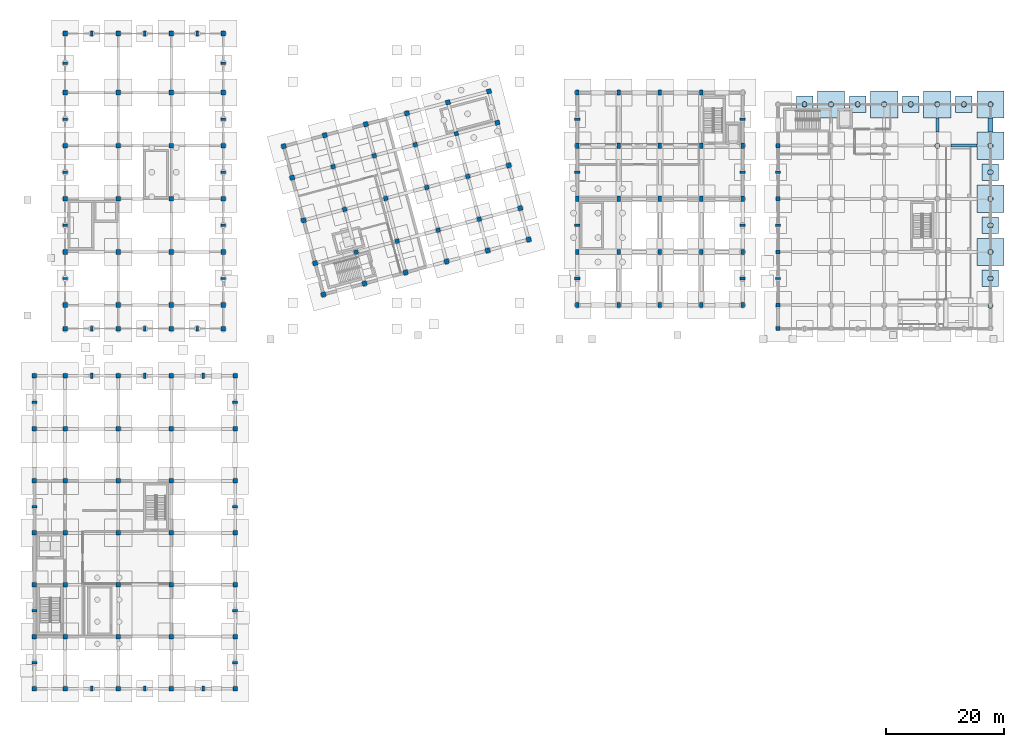
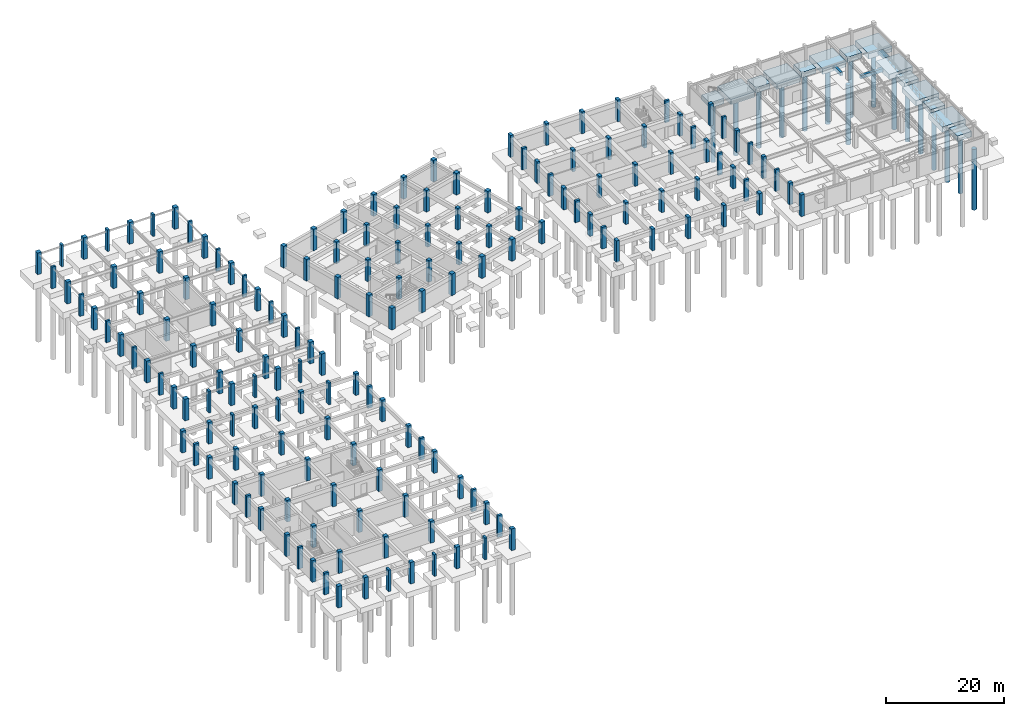
# One storey, part 6 of 20: 163 columns, 17 footings, 16 piles.
"""IFC4 building model written with IfcOpenShell, lengths in metres."""

import ifcopenshell
import ifcopenshell.guid

model = None  # the IFC model being written
_history = None  # IfcOwnerHistory: only IFC2X3 demands one
_inside = {}  # id of a spatial element -> (the spatial element, [elements in it])
_under = {}  # id of a project, library or spatial element -> (it, [spatial elements below it])
_declared = {}  # id of a project -> (the project, [libraries it declares])
_typed = {}  # id of a type object -> (the type object, [elements of that type])
_made_of = {}  # id of a material, layer set ... -> (it, [elements and type objects made of it])


def new_model(schema):
    """Start an empty IFC model of exactly this schema.

    Asked for "IFC4X3", IfcOpenShell would pick the latest addendum, in which some entities
    have other attributes; the version numbers below select the first issue.
    IFC2X3 requires an IfcOwnerHistory on every rooted entity: one is made here for all.
    """
    global model, _history
    if schema == "IFC4X3":
        model = ifcopenshell.file(schema_version=(4, 3, 0, 0))
    else:
        model = ifcopenshell.file(schema=schema)
    _inside.clear()
    _under.clear()
    _declared.clear()
    _typed.clear()
    _made_of.clear()
    _history = None
    if model.schema == "IFC2X3":
        org = make("IfcOrganization", Name="unknown")
        user = make(
            "IfcPersonAndOrganization",
            ThePerson=make("IfcPerson", FamilyName="unknown"),
            TheOrganization=org,
        )
        app = make(
            "IfcApplication",
            ApplicationDeveloper=org,
            Version="unknown",
            ApplicationFullName="unknown",
            ApplicationIdentifier="unknown",
        )
        _history = make(
            "IfcOwnerHistory",
            OwningUser=user,
            OwningApplication=app,
            ChangeAction="ADDED",
            CreationDate=0,
        )
    return model


def make(cls, **values):
    """One entity of the class cls with the attributes given. An attribute that is None is left unset."""
    return model.create_entity(
        cls, **{name: value for name, value in values.items() if value is not None}
    )


def rooted(cls, **values):
    """An entity with a GlobalId (a new one), such as an element, a storey or a relation."""
    return make(cls, GlobalId=ifcopenshell.guid.new(), OwnerHistory=_history, **values)


def si_unit(unit_type, name, prefix=None):
    """IfcSIUnit, for example si_unit("LENGTHUNIT", "METRE", prefix="MILLI")."""
    return make("IfcSIUnit", UnitType=unit_type, Prefix=prefix, Name=name)


def assignment(units):
    """IfcUnitAssignment: the units of a project."""
    return None if units is None else make("IfcUnitAssignment", Units=units)


def point(xyz):
    """IfcCartesianPoint."""
    return None if xyz is None else make("IfcCartesianPoint", Coordinates=xyz)


def direction(xyz):
    """IfcDirection."""
    return None if xyz is None else make("IfcDirection", DirectionRatios=xyz)


def frame(location, z_axis=None, x_axis=None):
    """IfcAxis2Placement3D, a coordinate frame: its origin and axes. An axis left out is left unset."""
    return make(
        "IfcAxis2Placement3D",
        Location=point(location),
        Axis=direction(z_axis),
        RefDirection=direction(x_axis),
    )


def frame_2d(location, x_axis=None):
    """IfcAxis2Placement2D, a coordinate frame in the plane: its origin and x axis."""
    return make(
        "IfcAxis2Placement2D", Location=point(location), RefDirection=direction(x_axis)
    )


def origin():
    """The frame at (0, 0, 0) with its axes left unset."""
    return frame((0.0, 0.0, 0.0))


def origin_2d():
    """The frame at (0, 0) in the plane with its x axis left unset."""
    return frame_2d((0.0, 0.0))


def place(relative_to, where):
    """IfcLocalPlacement: puts the frame where relative to a parent placement (None: the world)."""
    return make(
        "IfcLocalPlacement", PlacementRelTo=relative_to, RelativePlacement=where
    )


def context(
    kind, dimensions, precision=None, world=None, true_north=None, identifier=None
):
    """IfcGeometricRepresentationContext, for example the 3D "Model" context."""
    return make(
        "IfcGeometricRepresentationContext",
        ContextIdentifier=identifier,
        ContextType=kind,
        CoordinateSpaceDimension=dimensions,
        Precision=precision,
        WorldCoordinateSystem=world,
        TrueNorth=true_north,
    )


def subcontext(parent, identifier, kind, view, scale=None):
    """IfcGeometricRepresentationSubContext, for example "Body" below "Model"."""
    return make(
        "IfcGeometricRepresentationSubContext",
        ContextIdentifier=identifier,
        ContextType=kind,
        ParentContext=parent,
        TargetScale=scale,
        TargetView=view,
    )


def project(units=None, contexts=None):
    """IfcProject with its units and contexts."""
    return rooted(
        "IfcProject",
        Name="project",
        RepresentationContexts=contexts,
        UnitsInContext=assignment(units),
    )


def spatial(cls, under=None, at=None, **own):
    """A site, building, storey or space (cls), placed at a placement, below another one or the project."""
    s = rooted(cls, ObjectPlacement=at, **own)
    if under is not None:
        _under.setdefault(under.id(), (under, []))[1].append(s)
    return s


def profile(cls, at=None, kind="AREA", **sizes):
    """A parametric profile (cls). Its sizes go by their IFC names, for example OverallWidth=200.0."""
    return make(cls, ProfileType=kind, Position=at, **sizes)


def rectangle(**sizes):
    """IfcRectangleProfileDef."""
    return profile("IfcRectangleProfileDef", **sizes)


def circle(**sizes):
    """IfcCircleProfileDef."""
    return profile("IfcCircleProfileDef", **sizes)


def extrude(swept, where, along, depth):
    """IfcExtrudedAreaSolid: the profile swept, set in the frame where, extruded along a direction by depth."""
    return make(
        "IfcExtrudedAreaSolid",
        SweptArea=swept,
        Position=where,
        ExtrudedDirection=direction(along),
        Depth=depth,
    )


def shape(context_of_items, identifier, shape_type, items):
    """IfcShapeRepresentation: the items that make up one representation, for example the "Body"."""
    return make(
        "IfcShapeRepresentation",
        ContextOfItems=context_of_items,
        RepresentationIdentifier=identifier,
        RepresentationType=shape_type,
        Items=items,
    )


def material(Name=None, Category=None):
    """IfcMaterial."""
    return make("IfcMaterial", Name=Name, Category=Category)


def material_profile(
    of_material, cross_section, Name=None, Category=None, Priority=None
):
    """IfcMaterialProfile: a cross section and its material."""
    return make(
        "IfcMaterialProfile",
        Name=Name,
        Material=of_material,
        Profile=cross_section,
        Priority=Priority,
        Category=Category,
    )


def profile_set(profiles, Name=None, composite=None):
    """IfcMaterialProfileSet."""
    return make(
        "IfcMaterialProfileSet",
        Name=Name,
        MaterialProfiles=profiles,
        CompositeProfile=composite,
    )


def made_of(thing, what):
    """Note that an element or type object is made of a material, layer set ...; save() writes the relation."""
    if what is not None:
        _made_of.setdefault(what.id(), (what, []))[1].append(thing)
    return thing


def type_object(cls, material=None, **own):
    """A type object (cls), such as IfcWallType, which elements share."""
    return made_of(rooted(cls, **own), material)


def element(
    cls,
    number,
    at=None,
    inside=None,
    cuts=None,
    type_object=None,
    material=None,
    context=None,
    identifier="Body",
    shape_type=None,
    held_by="IfcProductDefinitionShape",
    body=None,
    shapes=None,
    **own,
):
    """One element of the class cls, such as IfcWall. Its Tag is "e" and its number.

    at: its placement. inside: the storey or other place that contains it. cuts: it is an
    opening in that element (IfcRelVoidsElement). A single representation is given by context,
    identifier, shape_type and body (its items); several are given by shapes. held_by: the class
    of the entity that holds the representations. save() writes the other relations.
    """
    e = rooted(cls, Tag="e%d" % number, ObjectPlacement=at, **own)
    if body is not None:
        shapes = [shape(context, identifier, shape_type, body)]
    if shapes is not None:
        e.Representation = make(held_by, Representations=shapes)
    if inside is not None:
        _inside.setdefault(inside.id(), (inside, []))[1].append(e)
    if cuts is not None:
        rooted(
            "IfcRelVoidsElement", RelatingBuildingElement=cuts, RelatedOpeningElement=e
        )
    if type_object is not None:
        _typed.setdefault(type_object.id(), (type_object, []))[1].append(e)
    return made_of(e, material)


def aggregate(whole, parts):
    """IfcRelAggregates: a whole, such as a stair, and the parts it consists of."""
    return rooted("IfcRelAggregates", RelatingObject=whole, RelatedObjects=parts)


def save(model, path):
    """Write the relations noted so far, then the file.

    IfcRelAggregates (storeys below a building ...), IfcRelContainedInSpatialStructure (elements
    in a storey), IfcRelDefinesByType, IfcRelAssociatesMaterial and IfcRelDeclares: one each for
    every whole, place, type object, material and project.
    """
    for whole, parts in _under.values():
        aggregate(whole, parts)
    for where, things in _inside.values():
        rooted(
            "IfcRelContainedInSpatialStructure",
            RelatedElements=things,
            RelatingStructure=where,
        )
    for kind, things in _typed.values():
        rooted("IfcRelDefinesByType", RelatedObjects=things, RelatingType=kind)
    for what, things in _made_of.values():
        rooted("IfcRelAssociatesMaterial", RelatedObjects=things, RelatingMaterial=what)
    for by, libraries in _declared.values():
        rooted("IfcRelDeclares", RelatingContext=by, RelatedDefinitions=libraries)
    model.write(path)


model = new_model("IFC4")

# Units and contexts
model_context = context("Model", 3, precision=1e-05, world=origin(), true_north=direction((0.0, 1.0)))
body_context = subcontext(model_context, "Body", "Model", "MODEL_VIEW")
ifc_project = project(units=[si_unit("LENGTHUNIT", "METRE"), si_unit("AREAUNIT", "SQUARE_METRE"), si_unit("VOLUMEUNIT", "CUBIC_METRE"), si_unit("PLANEANGLEUNIT", "RADIAN"), si_unit("MASSUNIT", "GRAM", prefix="KILO")], contexts=[model_context])

# Site, building, storey
site_placement = place(None, origin())
site = spatial("IfcSite", under=ifc_project, at=site_placement, CompositionType="ELEMENT")
building_placement = place(site_placement, origin())
building = spatial("IfcBuilding", under=site, at=building_placement, Name="Ventoquebrada Cableway Terminal", CompositionType="ELEMENT")
storey_placement = place(building_placement, frame((0.0, 0.0, -4.5)))
storey = spatial("IfcBuildingStorey", under=building, at=storey_placement, Name="B1", CompositionType="ELEMENT", Elevation=-4.5)

# Footings
ifc_material = material(Name="Concrete C40/50", Category="concrete")
footing_type_1 = type_object("IfcFootingType", Name="FT-PC01", PredefinedType="PILE_CAP", material=ifc_material)
for number, where, z_axis, x_axis, name in (
    (1, (138.0, 102.0, -1.10009765625), (0.0, 0.0, 1.0), (1.0, 0.0, 0.0), "Reinforced concrete pile cap PC-156"),
    (2, (147.0, 102.0, -1.10009765625), (0.0, 0.0, 1.0), (1.0, 0.0, 0.0), "Reinforced concrete pile cap PC-168"),
    (3, (156.0, 102.0, -1.10009765625), (0.0, 0.0, 1.0), (1.0, 0.0, 0.0), "Reinforced concrete pile cap PC-170"),
    (4, (165.0, 77.0, -1.10009765625), (0.0, 0.0, 1.0), (1.0, 0.0, 0.0), "Reinforced concrete pile cap PC-176"),
    (5, (165.0, 86.0, -1.10009765625), (0.0, 0.0, 1.0), (1.0, 0.0, 0.0), "Reinforced concrete pile cap PC-178"),
    (6, (165.0, 95.0, -1.10009765625), (0.0, 0.0, 1.0), (1.0, 0.0, 0.0), "Reinforced concrete pile cap PC-180"),
    (7, (165.0, 102.0, -1.10009765625), (0.0, 0.0, 1.0), (1.0, 0.0, 0.0), "Reinforced concrete pile cap PC-182"),
):
    element("IfcFooting", number, at=place(storey_placement, frame(where, z_axis=z_axis, x_axis=x_axis)), inside=storey, type_object=footing_type_1, Name=name, PredefinedType="PILE_CAP", context=body_context, shape_type="SweptSolid", body=[
        extrude(rectangle(XDim=4.60009765625, YDim=4.60009765625, at=origin_2d()), origin(), (0.0, 0.0, 1.0), 1.10009765625),
    ])
footing_type_2 = type_object("IfcFootingType", Name="FT-PC02", PredefinedType="PILE_CAP", material=ifc_material)
for number, where, z_axis, x_axis, name in (
    (8, (133.5, 102.0, -1.10009765625), (0.0, 0.0, 1.0), (1.0, 0.0, 0.0), "Reinforced concrete pile cap PC-155"),
    (9, (142.5, 102.0, -1.10009765625), (0.0, 0.0, 1.0), (1.0, 0.0, 0.0), "Reinforced concrete pile cap PC-167"),
    (10, (151.5, 102.0, -1.10009765625), (0.0, 0.0, 1.0), (1.0, 0.0, 0.0), "Reinforced concrete pile cap PC-169"),
    (11, (165.0, 72.5, -1.10009765625), (0.0, 0.0, 1.0), (1.0, 0.0, 0.0), "Reinforced concrete pile cap PC-174"),
    (12, (165.0, 81.5, -1.10009765625), (0.0, 0.0, 1.0), (1.0, 0.0, 0.0), "Reinforced concrete pile cap PC-177"),
    (13, (165.0, 90.5, -1.10009765625), (0.0, 0.0, 1.0), (1.0, 0.0, 0.0), "Reinforced concrete pile cap PC-179"),
    (14, (160.5, 102.0, -1.10009765625), (0.0, 0.0, 1.0), (1.0, 0.0, 0.0), "Reinforced concrete pile cap PC-181"),
):
    element("IfcFooting", number, at=place(storey_placement, frame(where, z_axis=z_axis, x_axis=x_axis)), inside=storey, type_object=footing_type_2, Name=name, PredefinedType="PILE_CAP", context=body_context, shape_type="SweptSolid", body=[
        extrude(rectangle(XDim=2.800048828125, YDim=2.800048828125, at=origin_2d()), origin(), (0.0, 0.0, 1.0), 1.10009765625),
    ])
footing_type_3 = type_object("IfcFootingType", Name="FT-SF09", PredefinedType="STRIP_FOOTING", material=ifc_material)
footing_1_placement = place(storey_placement, frame((165.0, 98.5, -0.64990234375), z_axis=(0.0, 0.0, 1.0), x_axis=(0.0, 1.0, 0.0)))
element("IfcFooting", 15, at=footing_1_placement, inside=storey, type_object=footing_type_3, Name="Reinforced concrete strip footing SF-105", PredefinedType="STRIP_FOOTING", context=body_context, shape_type="SweptSolid", body=[
    extrude(rectangle(XDim=2.404052734375, YDim=0.85009765625, at=origin_2d()), origin(), (0.0, 0.0, 1.0), 0.64990234375),
])
footing_type_4 = type_object("IfcFootingType", Name="FT-TB03", PredefinedType="FOOTING_BEAM", material=ifc_material)
footing_2_placement = place(storey_placement, frame((160.5, 95.0, -0.7001953125), z_axis=(0.0, 0.0, 1.0), x_axis=(1.0, 0.0, 0.0)))
element("IfcFooting", 16, at=footing_2_placement, inside=storey, type_object=footing_type_4, Name="Reinforced concrete seismic tie beam TB-121", PredefinedType="FOOTING_BEAM", context=body_context, shape_type="SweptSolid", body=[
    extrude(rectangle(XDim=4.404052734375, YDim=0.5, at=origin_2d()), origin(), (0.0, 0.0, 1.0), 0.699951171875),
])
footing_type_5 = type_object("IfcFootingType", Name="FT-TB10", PredefinedType="FOOTING_BEAM", material=ifc_material)
footing_3_placement = place(storey_placement, frame((156.0, 98.5, -0.7001953125), z_axis=(0.0, 0.0, 1.0), x_axis=(0.0, 1.0, 0.0)))
element("IfcFooting", 17, at=footing_3_placement, inside=storey, type_object=footing_type_5, Name="Reinforced concrete seismic tie beam TB-104", PredefinedType="FOOTING_BEAM", context=body_context, shape_type="SweptSolid", body=[
    extrude(rectangle(XDim=2.404052734375, YDim=0.5, at=origin_2d()), origin(), (0.0, 0.0, 1.0), 0.699951171875),
])

# Piles
ifc_material_profile_1 = material_profile(ifc_material, circle(Radius=0.449951171875, at=origin_2d()), Name="PILE-D900")
ifc_profile_set_1 = profile_set([ifc_material_profile_1], Name="Concrete C40/50")
pile_type = type_object("IfcPileType", Name="PL-D900", PredefinedType="BORED", material=ifc_profile_set_1)
pile_1_placement = place(storey_placement, frame((133.5, 102.0, -1.0), z_axis=(0.0, 0.0, -1.0), x_axis=(1.0, 0.0, 0.0)))
element("IfcPile", 18, at=pile_1_placement, inside=storey, type_object=pile_type, Name="Cast-in-place bored pile FP-190", PredefinedType="BORED", context=body_context, shape_type="SweptSolid", body=[
    extrude(circle(Radius=0.449951171875, at=origin_2d()), origin(), (0.0, 0.0, 1.0), 12.39990234375),
])
pile_2_placement = place(storey_placement, frame((138.0, 102.0, -1.0), z_axis=(0.0, 0.0, -1.0), x_axis=(1.0, 0.0, 0.0)))
element("IfcPile", 19, at=pile_2_placement, inside=storey, type_object=pile_type, Name="Cast-in-place bored pile FP-191", PredefinedType="BORED", context=body_context, shape_type="SweptSolid", body=[
    extrude(circle(Radius=0.449951171875, at=origin_2d()), origin(), (0.0, 0.0, 1.0), 12.60009765625),
])
pile_3_placement = place(storey_placement, frame((156.0, 95.0, -1.0), z_axis=(0.0, 0.0, -1.0), x_axis=(1.0, 0.0, 0.0)))
element("IfcPile", 20, at=pile_3_placement, inside=storey, type_object=pile_type, Name="Cast-in-place bored pile FP-202", PredefinedType="BORED", context=body_context, shape_type="SweptSolid", body=[
    extrude(circle(Radius=0.449951171875, at=origin_2d()), origin(), (0.0, 0.0, 1.0), 12.39990234375),
])
pile_4_placement = place(storey_placement, frame((142.5, 102.0, -1.0), z_axis=(0.0, 0.0, -1.0), x_axis=(1.0, 0.0, 0.0)))
element("IfcPile", 21, at=pile_4_placement, inside=storey, type_object=pile_type, Name="Cast-in-place bored pile FP-203", PredefinedType="BORED", context=body_context, shape_type="SweptSolid", body=[
    extrude(circle(Radius=0.449951171875, at=origin_2d()), origin(), (0.0, 0.0, 1.0), 12.60009765625),
])
pile_5_placement = place(storey_placement, frame((147.0, 102.0, -1.0), z_axis=(0.0, 0.0, -1.0), x_axis=(1.0, 0.0, 0.0)))
element("IfcPile", 22, at=pile_5_placement, inside=storey, type_object=pile_type, Name="Cast-in-place bored pile FP-204", PredefinedType="BORED", context=body_context, shape_type="SweptSolid", body=[
    extrude(circle(Radius=0.449951171875, at=origin_2d()), origin(), (0.0, 0.0, 1.0), 12.0),
])
pile_6_placement = place(storey_placement, frame((151.5, 102.0, -1.0), z_axis=(0.0, 0.0, -1.0), x_axis=(1.0, 0.0, 0.0)))
element("IfcPile", 23, at=pile_6_placement, inside=storey, type_object=pile_type, Name="Cast-in-place bored pile FP-205", PredefinedType="BORED", context=body_context, shape_type="SweptSolid", body=[
    extrude(circle(Radius=0.449951171875, at=origin_2d()), origin(), (0.0, 0.0, 1.0), 12.199951171875),
])
pile_7_placement = place(storey_placement, frame((156.0, 102.0, -1.0), z_axis=(0.0, 0.0, -1.0), x_axis=(1.0, 0.0, 0.0)))
element("IfcPile", 24, at=pile_7_placement, inside=storey, type_object=pile_type, Name="Cast-in-place bored pile FP-206", PredefinedType="BORED", context=body_context, shape_type="SweptSolid", body=[
    extrude(circle(Radius=0.449951171875, at=origin_2d()), origin(), (0.0, 0.0, 1.0), 12.39990234375),
])
pile_8_placement = place(storey_placement, frame((165.0, 67.867919921875, -1.0), z_axis=(0.0, 0.0, -1.0), x_axis=(1.0, 0.0, 0.0)))
element("IfcPile", 25, at=pile_8_placement, inside=storey, type_object=pile_type, Name="Cast-in-place bored pile FP-211", PredefinedType="BORED", context=body_context, shape_type="SweptSolid", body=[
    extrude(circle(Radius=0.449951171875, at=origin_2d()), origin(), (0.0, 0.0, 1.0), 12.60009765625),
])
pile_9_placement = place(storey_placement, frame((165.0, 72.5, -1.0), z_axis=(0.0, 0.0, -1.0), x_axis=(1.0, 0.0, 0.0)))
element("IfcPile", 26, at=pile_9_placement, inside=storey, type_object=pile_type, Name="Cast-in-place bored pile FP-212", PredefinedType="BORED", context=body_context, shape_type="SweptSolid", body=[
    extrude(circle(Radius=0.449951171875, at=origin_2d()), origin(), (0.0, 0.0, 1.0), 12.0),
])
pile_10_placement = place(storey_placement, frame((165.0, 77.0, -1.0), z_axis=(0.0, 0.0, -1.0), x_axis=(1.0, 0.0, 0.0)))
element("IfcPile", 27, at=pile_10_placement, inside=storey, type_object=pile_type, Name="Cast-in-place bored pile FP-214", PredefinedType="BORED", context=body_context, shape_type="SweptSolid", body=[
    extrude(circle(Radius=0.449951171875, at=origin_2d()), origin(), (0.0, 0.0, 1.0), 12.39990234375),
])
pile_11_placement = place(storey_placement, frame((165.0, 81.5, -1.0), z_axis=(0.0, 0.0, -1.0), x_axis=(1.0, 0.0, 0.0)))
element("IfcPile", 28, at=pile_11_placement, inside=storey, type_object=pile_type, Name="Cast-in-place bored pile FP-215", PredefinedType="BORED", context=body_context, shape_type="SweptSolid", body=[
    extrude(circle(Radius=0.449951171875, at=origin_2d()), origin(), (0.0, 0.0, 1.0), 12.60009765625),
])
pile_12_placement = place(storey_placement, frame((165.0, 86.0, -1.0), z_axis=(0.0, 0.0, -1.0), x_axis=(1.0, 0.0, 0.0)))
element("IfcPile", 29, at=pile_12_placement, inside=storey, type_object=pile_type, Name="Cast-in-place bored pile FP-216", PredefinedType="BORED", context=body_context, shape_type="SweptSolid", body=[
    extrude(circle(Radius=0.449951171875, at=origin_2d()), origin(), (0.0, 0.0, 1.0), 12.0),
])
pile_13_placement = place(storey_placement, frame((165.0, 90.5, -1.0), z_axis=(0.0, 0.0, -1.0), x_axis=(1.0, 0.0, 0.0)))
element("IfcPile", 30, at=pile_13_placement, inside=storey, type_object=pile_type, Name="Cast-in-place bored pile FP-217", PredefinedType="BORED", context=body_context, shape_type="SweptSolid", body=[
    extrude(circle(Radius=0.449951171875, at=origin_2d()), origin(), (0.0, 0.0, 1.0), 12.199951171875),
])
pile_14_placement = place(storey_placement, frame((165.0, 95.0, -1.0), z_axis=(0.0, 0.0, -1.0), x_axis=(1.0, 0.0, 0.0)))
element("IfcPile", 31, at=pile_14_placement, inside=storey, type_object=pile_type, Name="Cast-in-place bored pile FP-218", PredefinedType="BORED", context=body_context, shape_type="SweptSolid", body=[
    extrude(circle(Radius=0.449951171875, at=origin_2d()), origin(), (0.0, 0.0, 1.0), 12.39990234375),
])
pile_15_placement = place(storey_placement, frame((160.5, 102.0, -1.0), z_axis=(0.0, 0.0, -1.0), x_axis=(1.0, 0.0, 0.0)))
element("IfcPile", 32, at=pile_15_placement, inside=storey, type_object=pile_type, Name="Cast-in-place bored pile FP-219", PredefinedType="BORED", context=body_context, shape_type="SweptSolid", body=[
    extrude(circle(Radius=0.449951171875, at=origin_2d()), origin(), (0.0, 0.0, 1.0), 12.60009765625),
])
pile_16_placement = place(storey_placement, frame((165.0, 102.0, -1.0), z_axis=(0.0, 0.0, -1.0), x_axis=(1.0, 0.0, 0.0)))
element("IfcPile", 33, at=pile_16_placement, inside=storey, type_object=pile_type, Name="Cast-in-place bored pile FP-220", PredefinedType="BORED", context=body_context, shape_type="SweptSolid", body=[
    extrude(circle(Radius=0.449951171875, at=origin_2d()), origin(), (0.0, 0.0, 1.0), 12.0),
])

# Columns
ifc_material_profile_2 = material_profile(ifc_material, rectangle(XDim=0.699951171875, YDim=0.699951171875, at=origin_2d()), Name="RC-COL-700X700")
ifc_profile_set_2 = profile_set([ifc_material_profile_2], Name="Concrete C40/50")
column_type_1 = type_object("IfcColumnType", Name="COL-RC04", PredefinedType="COLUMN", material=ifc_profile_set_2)
for number, where, z_axis, x_axis, name in (
    (34, (129.0, 64.0, 0.0), (0.0, 0.0, 1.0), (1.0, 0.0, 0.0), "Structural column FC-0522"),
    (35, (129.0, 68.0, 0.0), (0.0, 0.0, 1.0), (1.0, 0.0, 0.0), "Structural column FC-0524"),
    (36, (129.0, 77.0, 0.0), (0.0, 0.0, 1.0), (1.0, 0.0, 0.0), "Structural column FC-0526"),
    (37, (129.0, 86.0, 0.0), (0.0, 0.0, 1.0), (1.0, 0.0, 0.0), "Structural column FC-0530"),
    (38, (129.0, 95.0, 0.0), (0.0, 0.0, 1.0), (1.0, 0.0, 0.0), "Structural column FC-0534"),
    (39, (57.509033203125, 76.9599609375, 0.0), (0.0, 0.0, 1.0), (0.965925826289, 0.258819045103, 0.0), "Structural column FC-0682"),
    (40, (55.568115234375, 84.205078125, 0.0), (0.0, 0.0, 1.0), (0.965925826289, 0.258819045103, 0.0), "Structural column FC-0685"),
    (41, (53.626953125, 91.448974609375, 0.0), (0.0, 0.0, 1.0), (0.965925826289, 0.258819045103, 0.0), "Structural column FC-0688"),
    (42, (64.464111328125, 78.823974609375, 0.0), (0.0, 0.0, 1.0), (0.965925826289, 0.258819045103, 0.0), "Structural column FC-0701"),
    (43, (62.52294921875, 86.068115234375, 0.0), (0.0, 0.0, 1.0), (0.965925826289, 0.258819045103, 0.0), "Structural column FC-0704"),
    (44, (60.58203125, 93.31298828125, 0.0), (0.0, 0.0, 1.0), (0.965925826289, 0.258819045103, 0.0), "Structural column FC-0707"),
    (45, (71.41796875, 80.68701171875, 0.0), (0.0, 0.0, 1.0), (0.965925826289, 0.258819045103, 0.0), "Structural column FC-0720"),
    (46, (69.47705078125, 87.931884765625, 0.0), (0.0, 0.0, 1.0), (0.965925826289, 0.258819045103, 0.0), "Structural column FC-0723"),
    (47, (67.535888671875, 95.176025390625, 0.0), (0.0, 0.0, 1.0), (0.965925826289, 0.258819045103, 0.0), "Structural column FC-0726"),
    (48, (78.373046875, 82.551025390625, 0.0), (0.0, 0.0, 1.0), (0.965925826289, 0.258819045103, 0.0), "Structural column FC-0739"),
    (49, (76.431884765625, 89.794921875, 0.0), (0.0, 0.0, 1.0), (0.965925826289, 0.258819045103, 0.0), "Structural column FC-0742"),
    (50, (74.490966796875, 97.0400390625, 0.0), (0.0, 0.0, 1.0), (0.965925826289, 0.258819045103, 0.0), "Structural column FC-0745"),
):
    element("IfcColumn", number, at=place(storey_placement, frame(where, z_axis=z_axis, x_axis=x_axis)), inside=storey, type_object=column_type_1, Name=name, PredefinedType="COLUMN", context=body_context, shape_type="SweptSolid", body=[
        extrude(rectangle(XDim=0.699951171875, YDim=0.699951171875, at=origin_2d()), origin(), (0.0, 0.0, 1.0), 4.5),
    ])
ifc_material_profile_3 = material_profile(ifc_material, rectangle(XDim=0.75, YDim=0.75, at=origin_2d()), Name="RC-COL-750X750")
ifc_profile_set_3 = profile_set([ifc_material_profile_3], Name="Concrete C40/50")
column_type_2 = type_object("IfcColumnType", Name="COL-RC05", PredefinedType="COLUMN", material=ifc_profile_set_3)
for number, where, z_axis, x_axis, name in (
    (51, (3.0, 3.0, 0.0), (0.0, 0.0, 1.0), (1.0, 0.0, 0.0), "Structural column FC-0001"),
    (52, (3.0, 11.800048828125, 0.0), (0.0, 0.0, 1.0), (1.0, 0.0, 0.0), "Structural column FC-0004"),
    (53, (3.0, 20.60009765625, 0.0), (0.0, 0.0, 1.0), (1.0, 0.0, 0.0), "Structural column FC-0009"),
    (54, (3.0, 29.39990234375, 0.0), (0.0, 0.0, 1.0), (1.0, 0.0, 0.0), "Structural column FC-0014"),
    (55, (3.0, 38.199951171875, 0.0), (0.0, 0.0, 1.0), (1.0, 0.0, 0.0), "Structural column FC-0019"),
    (56, (3.0, 47.0, 0.0), (0.0, 0.0, 1.0), (1.0, 0.0, 0.0), "Structural column FC-0024"),
    (57, (3.0, 56.0, 0.0), (0.0, 0.0, 1.0), (1.0, 0.0, 0.0), "Structural column FC-0027"),
    (58, (8.199951171875, 3.0, 0.0), (0.0, 0.0, 1.0), (1.0, 0.0, 0.0), "Structural column FC-0029"),
    (59, (8.199951171875, 11.800048828125, 0.0), (0.0, 0.0, 1.0), (1.0, 0.0, 0.0), "Structural column FC-0032"),
    (60, (8.199951171875, 20.60009765625, 0.0), (0.0, 0.0, 1.0), (1.0, 0.0, 0.0), "Structural column FC-0037"),
    (61, (8.199951171875, 29.39990234375, 0.0), (0.0, 0.0, 1.0), (1.0, 0.0, 0.0), "Structural column FC-0042"),
    (62, (8.199951171875, 38.199951171875, 0.0), (0.0, 0.0, 1.0), (1.0, 0.0, 0.0), "Structural column FC-0047"),
    (63, (8.199951171875, 47.0, 0.0), (0.0, 0.0, 1.0), (1.0, 0.0, 0.0), "Structural column FC-0052"),
    (64, (8.199951171875, 56.0, 0.0), (0.0, 0.0, 1.0), (1.0, 0.0, 0.0), "Structural column FC-0055"),
    (65, (17.199951171875, 3.0, 0.0), (0.0, 0.0, 1.0), (1.0, 0.0, 0.0), "Structural column FC-0057"),
    (66, (17.199951171875, 11.800048828125, 0.0), (0.0, 0.0, 1.0), (1.0, 0.0, 0.0), "Structural column FC-0060"),
    (67, (17.199951171875, 20.60009765625, 0.0), (0.0, 0.0, 1.0), (1.0, 0.0, 0.0), "Structural column FC-0065"),
    (68, (17.199951171875, 29.39990234375, 0.0), (0.0, 0.0, 1.0), (1.0, 0.0, 0.0), "Structural column FC-0070"),
    (69, (17.199951171875, 38.199951171875, 0.0), (0.0, 0.0, 1.0), (1.0, 0.0, 0.0), "Structural column FC-0075"),
    (70, (17.199951171875, 47.0, 0.0), (0.0, 0.0, 1.0), (1.0, 0.0, 0.0), "Structural column FC-0080"),
    (71, (17.199951171875, 56.0, 0.0), (0.0, 0.0, 1.0), (1.0, 0.0, 0.0), "Structural column FC-0083"),
    (72, (26.199951171875, 3.0, 0.0), (0.0, 0.0, 1.0), (1.0, 0.0, 0.0), "Structural column FC-0085"),
    (73, (26.199951171875, 11.800048828125, 0.0), (0.0, 0.0, 1.0), (1.0, 0.0, 0.0), "Structural column FC-0088"),
    (74, (26.199951171875, 20.60009765625, 0.0), (0.0, 0.0, 1.0), (1.0, 0.0, 0.0), "Structural column FC-0093"),
    (75, (26.199951171875, 29.39990234375, 0.0), (0.0, 0.0, 1.0), (1.0, 0.0, 0.0), "Structural column FC-0098"),
    (76, (26.199951171875, 38.199951171875, 0.0), (0.0, 0.0, 1.0), (1.0, 0.0, 0.0), "Structural column FC-0103"),
    (77, (26.199951171875, 47.0, 0.0), (0.0, 0.0, 1.0), (1.0, 0.0, 0.0), "Structural column FC-0108"),
    (78, (26.199951171875, 56.0, 0.0), (0.0, 0.0, 1.0), (1.0, 0.0, 0.0), "Structural column FC-0111"),
    (79, (37.0, 3.0, 0.0), (0.0, 0.0, 1.0), (1.0, 0.0, 0.0), "Structural column FC-0113"),
    (80, (37.0, 11.800048828125, 0.0), (0.0, 0.0, 1.0), (1.0, 0.0, 0.0), "Structural column FC-0116"),
    (81, (37.0, 20.60009765625, 0.0), (0.0, 0.0, 1.0), (1.0, 0.0, 0.0), "Structural column FC-0119"),
    (82, (37.0, 29.39990234375, 0.0), (0.0, 0.0, 1.0), (1.0, 0.0, 0.0), "Structural column FC-0122"),
    (83, (37.0, 38.199951171875, 0.0), (0.0, 0.0, 1.0), (1.0, 0.0, 0.0), "Structural column FC-0125"),
    (84, (37.0, 47.0, 0.0), (0.0, 0.0, 1.0), (1.0, 0.0, 0.0), "Structural column FC-0128"),
    (85, (37.0, 56.0, 0.0), (0.0, 0.0, 1.0), (1.0, 0.0, 0.0), "Structural column FC-0131"),
):
    element("IfcColumn", number, at=place(storey_placement, frame(where, z_axis=z_axis, x_axis=x_axis)), inside=storey, type_object=column_type_2, Name=name, PredefinedType="COLUMN", context=body_context, shape_type="SweptSolid", body=[
        extrude(rectangle(XDim=0.75, YDim=0.75, at=origin_2d()), origin(), (0.0, 0.0, 1.0), 4.5),
    ])
ifc_material_profile_4 = material_profile(ifc_material, rectangle(XDim=0.800048828125, YDim=0.800048828125, at=origin_2d()), Name="RC-COL-800X800")
ifc_profile_set_4 = profile_set([ifc_material_profile_4], Name="Concrete C40/50")
column_type_3 = type_object("IfcColumnType", Name="COL-RC06", PredefinedType="COLUMN", material=ifc_profile_set_4)
for number, where, z_axis, x_axis, name in (
    (86, (8.199951171875, 64.0, 0.0), (0.0, 0.0, 1.0), (1.0, 0.0, 0.0), "Structural column FC-0174"),
    (87, (8.199951171875, 68.0, 0.0), (0.0, 0.0, 1.0), (1.0, 0.0, 0.0), "Structural column FC-0177"),
    (88, (8.199951171875, 77.0, 0.0), (0.0, 0.0, 1.0), (1.0, 0.0, 0.0), "Structural column FC-0181"),
    (89, (8.199951171875, 86.0, 0.0), (0.0, 0.0, 1.0), (1.0, 0.0, 0.0), "Structural column FC-0188"),
    (90, (8.199951171875, 95.0, 0.0), (0.0, 0.0, 1.0), (1.0, 0.0, 0.0), "Structural column FC-0195"),
    (91, (8.199951171875, 104.0, 0.0), (0.0, 0.0, 1.0), (1.0, 0.0, 0.0), "Structural column FC-0202"),
    (92, (8.199951171875, 114.0, 0.0), (0.0, 0.0, 1.0), (1.0, 0.0, 0.0), "Structural column FC-0209"),
    (93, (17.199951171875, 64.0, 0.0), (0.0, 0.0, 1.0), (1.0, 0.0, 0.0), "Structural column FC-0214"),
    (94, (17.199951171875, 68.0, 0.0), (0.0, 0.0, 1.0), (1.0, 0.0, 0.0), "Structural column FC-0217"),
    (95, (17.199951171875, 77.0, 0.0), (0.0, 0.0, 1.0), (1.0, 0.0, 0.0), "Structural column FC-0221"),
    (96, (17.199951171875, 86.0, 0.0), (0.0, 0.0, 1.0), (1.0, 0.0, 0.0), "Structural column FC-0228"),
    (97, (17.199951171875, 95.0, 0.0), (0.0, 0.0, 1.0), (1.0, 0.0, 0.0), "Structural column FC-0235"),
    (98, (17.199951171875, 104.0, 0.0), (0.0, 0.0, 1.0), (1.0, 0.0, 0.0), "Structural column FC-0242"),
    (99, (17.199951171875, 114.0, 0.0), (0.0, 0.0, 1.0), (1.0, 0.0, 0.0), "Structural column FC-0249"),
    (100, (26.199951171875, 64.0, 0.0), (0.0, 0.0, 1.0), (1.0, 0.0, 0.0), "Structural column FC-0254"),
    (101, (26.199951171875, 68.0, 0.0), (0.0, 0.0, 1.0), (1.0, 0.0, 0.0), "Structural column FC-0257"),
    (102, (26.199951171875, 77.0, 0.0), (0.0, 0.0, 1.0), (1.0, 0.0, 0.0), "Structural column FC-0261"),
    (103, (26.199951171875, 86.0, 0.0), (0.0, 0.0, 1.0), (1.0, 0.0, 0.0), "Structural column FC-0268"),
    (104, (26.199951171875, 95.0, 0.0), (0.0, 0.0, 1.0), (1.0, 0.0, 0.0), "Structural column FC-0275"),
    (105, (26.199951171875, 104.0, 0.0), (0.0, 0.0, 1.0), (1.0, 0.0, 0.0), "Structural column FC-0282"),
    (106, (26.199951171875, 114.0, 0.0), (0.0, 0.0, 1.0), (1.0, 0.0, 0.0), "Structural column FC-0289"),
    (107, (35.0, 64.0, 0.0), (0.0, 0.0, 1.0), (1.0, 0.0, 0.0), "Structural column FC-0294"),
    (108, (35.0, 68.0, 0.0), (0.0, 0.0, 1.0), (1.0, 0.0, 0.0), "Structural column FC-0297"),
    (109, (35.0, 77.0, 0.0), (0.0, 0.0, 1.0), (1.0, 0.0, 0.0), "Structural column FC-0301"),
    (110, (35.0, 86.0, 0.0), (0.0, 0.0, 1.0), (1.0, 0.0, 0.0), "Structural column FC-0306"),
    (111, (35.0, 95.0, 0.0), (0.0, 0.0, 1.0), (1.0, 0.0, 0.0), "Structural column FC-0311"),
    (112, (35.0, 104.0, 0.0), (0.0, 0.0, 1.0), (1.0, 0.0, 0.0), "Structural column FC-0316"),
    (113, (35.0, 114.0, 0.0), (0.0, 0.0, 1.0), (1.0, 0.0, 0.0), "Structural column FC-0321"),
    (114, (51.97802734375, 69.783935546875, 0.0), (0.0, 0.0, 1.0), (0.965925826289, 0.258819045103, 0.0), "Structural column FC-0652"),
    (115, (50.553955078125, 75.096923828125, 0.0), (0.0, 0.0, 1.0), (0.965925826289, 0.258819045103, 0.0), "Structural column FC-0657"),
    (116, (48.613037109375, 82.341064453125, 0.0), (0.0, 0.0, 1.0), (0.965925826289, 0.258819045103, 0.0), "Structural column FC-0662"),
    (117, (46.672119140625, 89.5859375, 0.0), (0.0, 0.0, 1.0), (0.965925826289, 0.258819045103, 0.0), "Structural column FC-0667"),
    (118, (45.2490234375, 94.89794921875, 0.0), (0.0, 0.0, 1.0), (0.965925826289, 0.258819045103, 0.0), "Structural column FC-0672"),
    (119, (58.93310546875, 71.64794921875, 0.0), (0.0, 0.0, 1.0), (0.965925826289, 0.258819045103, 0.0), "Structural column FC-0677"),
    (120, (52.202880859375, 96.761962890625, 0.0), (0.0, 0.0, 1.0), (0.965925826289, 0.258819045103, 0.0), "Structural column FC-0691"),
    (121, (65.886962890625, 73.510986328125, 0.0), (0.0, 0.0, 1.0), (0.965925826289, 0.258819045103, 0.0), "Structural column FC-0696"),
    (122, (59.157958984375, 98.625, 0.0), (0.0, 0.0, 1.0), (0.965925826289, 0.258819045103, 0.0), "Structural column FC-0710"),
    (123, (72.842041015625, 75.375, 0.0), (0.0, 0.0, 1.0), (0.965925826289, 0.258819045103, 0.0), "Structural column FC-0715"),
    (124, (66.113037109375, 100.489013671875, 0.0), (0.0, 0.0, 1.0), (0.965925826289, 0.258819045103, 0.0), "Structural column FC-0729"),
    (125, (79.797119140625, 77.238037109375, 0.0), (0.0, 0.0, 1.0), (0.965925826289, 0.258819045103, 0.0), "Structural column FC-0734"),
    (126, (73.06689453125, 102.35205078125, 0.0), (0.0, 0.0, 1.0), (0.965925826289, 0.258819045103, 0.0), "Structural column FC-0748"),
    (127, (86.7509765625, 79.10205078125, 0.0), (0.0, 0.0, 1.0), (0.965925826289, 0.258819045103, 0.0), "Structural column FC-0753"),
    (128, (85.327880859375, 84.4140625, 0.0), (0.0, 0.0, 1.0), (0.965925826289, 0.258819045103, 0.0), "Structural column FC-0758"),
    (129, (83.386962890625, 91.658935546875, 0.0), (0.0, 0.0, 1.0), (0.965925826289, 0.258819045103, 0.0), "Structural column FC-0763"),
    (130, (81.446044921875, 98.903076171875, 0.0), (0.0, 0.0, 1.0), (0.965925826289, 0.258819045103, 0.0), "Structural column FC-0768"),
    (131, (80.02197265625, 104.216064453125, 0.0), (0.0, 0.0, 1.0), (0.965925826289, 0.258819045103, 0.0), "Structural column FC-0773"),
):
    element("IfcColumn", number, at=place(storey_placement, frame(where, z_axis=z_axis, x_axis=x_axis)), inside=storey, type_object=column_type_3, Name=name, PredefinedType="COLUMN", context=body_context, shape_type="SweptSolid", body=[
        extrude(rectangle(XDim=0.800048828125, YDim=0.800048828125, at=origin_2d()), origin(), (0.0, 0.0, 1.0), 4.5),
    ])
ifc_material_profile_5 = material_profile(ifc_material, rectangle(XDim=0.60009765625, YDim=0.89990234375, at=origin_2d()), Name="RC-COL-900X600")
ifc_profile_set_5 = profile_set([ifc_material_profile_5], Name="Concrete C40/50")
column_type_4 = type_object("IfcColumnType", Name="COL-RC07", PredefinedType="COLUMN", material=ifc_profile_set_5)
for number, where, z_axis, x_axis, name in (
    (132, (95.0, 68.0, 0.0), (0.0, 0.0, 1.0), (1.0, 0.0, 0.0), "Structural column FC-0404"),
    (133, (95.0, 77.0, 0.0), (0.0, 0.0, 1.0), (1.0, 0.0, 0.0), "Structural column FC-0406"),
    (134, (95.0, 86.0, 0.0), (0.0, 0.0, 1.0), (1.0, 0.0, 0.0), "Structural column FC-0410"),
    (135, (95.0, 95.0, 0.0), (0.0, 0.0, 1.0), (1.0, 0.0, 0.0), "Structural column FC-0414"),
    (136, (95.0, 104.0, 0.0), (0.0, 0.0, 1.0), (1.0, 0.0, 0.0), "Structural column FC-0418"),
    (137, (102.0, 68.0, 0.0), (0.0, 0.0, 1.0), (1.0, 0.0, 0.0), "Structural column FC-0422"),
    (138, (102.0, 77.0, 0.0), (0.0, 0.0, 1.0), (1.0, 0.0, 0.0), "Structural column FC-0424"),
    (139, (102.0, 86.0, 0.0), (0.0, 0.0, 1.0), (1.0, 0.0, 0.0), "Structural column FC-0428"),
    (140, (102.0, 95.0, 0.0), (0.0, 0.0, 1.0), (1.0, 0.0, 0.0), "Structural column FC-0432"),
    (141, (102.0, 104.0, 0.0), (0.0, 0.0, 1.0), (1.0, 0.0, 0.0), "Structural column FC-0436"),
    (142, (109.0, 68.0, 0.0), (0.0, 0.0, 1.0), (1.0, 0.0, 0.0), "Structural column FC-0440"),
    (143, (109.0, 77.0, 0.0), (0.0, 0.0, 1.0), (1.0, 0.0, 0.0), "Structural column FC-0442"),
    (144, (109.0, 86.0, 0.0), (0.0, 0.0, 1.0), (1.0, 0.0, 0.0), "Structural column FC-0446"),
    (145, (109.0, 95.0, 0.0), (0.0, 0.0, 1.0), (1.0, 0.0, 0.0), "Structural column FC-0450"),
    (146, (109.0, 104.0, 0.0), (0.0, 0.0, 1.0), (1.0, 0.0, 0.0), "Structural column FC-0454"),
    (147, (116.0, 68.0, 0.0), (0.0, 0.0, 1.0), (1.0, 0.0, 0.0), "Structural column FC-0458"),
    (148, (116.0, 77.0, 0.0), (0.0, 0.0, 1.0), (1.0, 0.0, 0.0), "Structural column FC-0460"),
    (149, (116.0, 86.0, 0.0), (0.0, 0.0, 1.0), (1.0, 0.0, 0.0), "Structural column FC-0464"),
    (150, (116.0, 95.0, 0.0), (0.0, 0.0, 1.0), (1.0, 0.0, 0.0), "Structural column FC-0468"),
    (151, (116.0, 104.0, 0.0), (0.0, 0.0, 1.0), (1.0, 0.0, 0.0), "Structural column FC-0472"),
    (152, (123.0, 68.0, 0.0), (0.0, 0.0, 1.0), (1.0, 0.0, 0.0), "Structural column FC-0476"),
    (153, (123.0, 77.0, 0.0), (0.0, 0.0, 1.0), (1.0, 0.0, 0.0), "Structural column FC-0478"),
    (154, (123.0, 86.0, 0.0), (0.0, 0.0, 1.0), (1.0, 0.0, 0.0), "Structural column FC-0482"),
    (155, (123.0, 95.0, 0.0), (0.0, 0.0, 1.0), (1.0, 0.0, 0.0), "Structural column FC-0486"),
):
    element("IfcColumn", number, at=place(storey_placement, frame(where, z_axis=z_axis, x_axis=x_axis)), inside=storey, type_object=column_type_4, Name=name, PredefinedType="COLUMN", context=body_context, shape_type="SweptSolid", body=[
        extrude(rectangle(XDim=0.60009765625, YDim=0.89990234375, at=origin_2d()), origin(), (0.0, 0.0, 1.0), 4.5),
    ])
ifc_material_profile_6 = material_profile(ifc_material, rectangle(XDim=0.39990234375, YDim=0.800048828125, at=origin_2d()), Name="RC-PIL-400X800")
ifc_profile_set_6 = profile_set([ifc_material_profile_6], Name="Concrete C40/50")
column_type_5 = type_object("IfcColumnType", Name="PIL-RC01", PredefinedType="PILASTER", material=ifc_profile_set_6)
for number, where, z_axis, x_axis, name in (
    (156, (12.699951171875, 64.0, 0.0), (0.0, 0.0, 1.0), (1.0, 0.0, 0.0), "Facade pilaster FPL-0326"),
    (157, (21.699951171875, 64.0, 0.0), (0.0, 0.0, 1.0), (1.0, 0.0, 0.0), "Facade pilaster FPL-0329"),
    (158, (30.60009765625, 64.0, 0.0), (0.0, 0.0, 1.0), (1.0, 0.0, 0.0), "Facade pilaster FPL-0332"),
    (159, (12.699951171875, 114.0, 0.0), (0.0, 0.0, 1.0), (1.0, 0.0, 0.0), "Facade pilaster FPL-0335"),
    (160, (21.699951171875, 114.0, 0.0), (0.0, 0.0, 1.0), (1.0, 0.0, 0.0), "Facade pilaster FPL-0340"),
    (161, (30.60009765625, 114.0, 0.0), (0.0, 0.0, 1.0), (1.0, 0.0, 0.0), "Facade pilaster FPL-0345"),
    (162, (8.199951171875, 72.5, 0.0), (0.0, 0.0, 1.0), (0.0, 1.0, 0.0), "Facade pilaster FPL-0350"),
    (163, (8.199951171875, 81.5, 0.0), (0.0, 0.0, 1.0), (0.0, 1.0, 0.0), "Facade pilaster FPL-0354"),
    (164, (8.199951171875, 90.5, 0.0), (0.0, 0.0, 1.0), (0.0, 1.0, 0.0), "Facade pilaster FPL-0361"),
    (165, (8.199951171875, 99.5, 0.0), (0.0, 0.0, 1.0), (0.0, 1.0, 0.0), "Facade pilaster FPL-0368"),
    (166, (8.199951171875, 109.0, 0.0), (0.0, 0.0, 1.0), (0.0, 1.0, 0.0), "Facade pilaster FPL-0375"),
    (167, (35.0, 72.5, 0.0), (0.0, 0.0, 1.0), (0.0, 1.0, 0.0), "Facade pilaster FPL-0380"),
    (168, (35.0, 81.5, 0.0), (0.0, 0.0, 1.0), (0.0, 1.0, 0.0), "Facade pilaster FPL-0384"),
    (169, (35.0, 90.5, 0.0), (0.0, 0.0, 1.0), (0.0, 1.0, 0.0), "Facade pilaster FPL-0389"),
    (170, (35.0, 99.5, 0.0), (0.0, 0.0, 1.0), (0.0, 1.0, 0.0), "Facade pilaster FPL-0394"),
    (171, (35.0, 109.0, 0.0), (0.0, 0.0, 1.0), (0.0, 1.0, 0.0), "Facade pilaster FPL-0399"),
    (172, (129.0, 72.5, 0.0), (0.0, 0.0, 1.0), (0.0, 1.0, 0.0), "Facade pilaster FPL-0636"),
    (173, (129.0, 81.5, 0.0), (0.0, 0.0, 1.0), (0.0, 1.0, 0.0), "Facade pilaster FPL-0638"),
    (174, (129.0, 90.5, 0.0), (0.0, 0.0, 1.0), (0.0, 1.0, 0.0), "Facade pilaster FPL-0642"),
):
    element("IfcColumn", number, at=place(storey_placement, frame(where, z_axis=z_axis, x_axis=x_axis)), inside=storey, type_object=column_type_5, Name=name, PredefinedType="PILASTER", context=body_context, shape_type="SweptSolid", body=[
        extrude(rectangle(XDim=0.39990234375, YDim=0.800048828125, at=origin_2d()), origin(), (0.0, 0.0, 1.0), 4.5),
    ])
ifc_material_profile_7 = material_profile(ifc_material, rectangle(XDim=0.449951171875, YDim=0.89990234375, at=origin_2d()), Name="RC-PIL-450X900")
ifc_profile_set_7 = profile_set([ifc_material_profile_7], Name="Concrete C40/50")
column_type_6 = type_object("IfcColumnType", Name="PIL-RC02", PredefinedType="PILASTER", material=ifc_profile_set_7)
for number, where, z_axis, x_axis, name in (
    (175, (12.699951171875, 3.0, 0.0), (0.0, 0.0, 1.0), (1.0, 0.0, 0.0), "Facade pilaster FPL-0133"),
    (176, (21.699951171875, 3.0, 0.0), (0.0, 0.0, 1.0), (1.0, 0.0, 0.0), "Facade pilaster FPL-0136"),
    (177, (31.60009765625, 3.0, 0.0), (0.0, 0.0, 1.0), (1.0, 0.0, 0.0), "Facade pilaster FPL-0139"),
    (178, (12.699951171875, 56.0, 0.0), (0.0, 0.0, 1.0), (1.0, 0.0, 0.0), "Facade pilaster FPL-0142"),
    (179, (21.699951171875, 56.0, 0.0), (0.0, 0.0, 1.0), (1.0, 0.0, 0.0), "Facade pilaster FPL-0144"),
    (180, (31.60009765625, 56.0, 0.0), (0.0, 0.0, 1.0), (1.0, 0.0, 0.0), "Facade pilaster FPL-0146"),
    (181, (3.0, 7.39990234375, 0.0), (0.0, 0.0, 1.0), (0.0, 1.0, 0.0), "Facade pilaster FPL-0148"),
    (182, (3.0, 16.199951171875, 0.0), (0.0, 0.0, 1.0), (0.0, 1.0, 0.0), "Facade pilaster FPL-0151"),
    (183, (3.0, 33.800048828125, 0.0), (0.0, 0.0, 1.0), (0.0, 1.0, 0.0), "Facade pilaster FPL-0156"),
    (184, (3.0, 51.5, 0.0), (0.0, 0.0, 1.0), (0.0, 1.0, 0.0), "Facade pilaster FPL-0161"),
    (185, (37.0, 7.39990234375, 0.0), (0.0, 0.0, 1.0), (0.0, 1.0, 0.0), "Facade pilaster FPL-0163"),
    (186, (37.0, 16.199951171875, 0.0), (0.0, 0.0, 1.0), (0.0, 1.0, 0.0), "Facade pilaster FPL-0166"),
    (187, (37.0, 33.800048828125, 0.0), (0.0, 0.0, 1.0), (0.0, 1.0, 0.0), "Facade pilaster FPL-0169"),
    (188, (37.0, 51.5, 0.0), (0.0, 0.0, 1.0), (0.0, 1.0, 0.0), "Facade pilaster FPL-0172"),
    (189, (95.0, 72.5, 0.0), (0.0, 0.0, 1.0), (0.0, 1.0, 0.0), "Facade pilaster FPL-0494"),
    (190, (95.0, 81.5, 0.0), (0.0, 0.0, 1.0), (0.0, 1.0, 0.0), "Facade pilaster FPL-0496"),
    (191, (95.0, 90.5, 0.0), (0.0, 0.0, 1.0), (0.0, 1.0, 0.0), "Facade pilaster FPL-0500"),
    (192, (95.0, 99.5, 0.0), (0.0, 0.0, 1.0), (0.0, 1.0, 0.0), "Facade pilaster FPL-0504"),
    (193, (123.0, 72.5, 0.0), (0.0, 0.0, 1.0), (0.0, 1.0, 0.0), "Facade pilaster FPL-0508"),
    (194, (123.0, 81.5, 0.0), (0.0, 0.0, 1.0), (0.0, 1.0, 0.0), "Facade pilaster FPL-0510"),
    (195, (123.0, 90.5, 0.0), (0.0, 0.0, 1.0), (0.0, 1.0, 0.0), "Facade pilaster FPL-0514"),
    (196, (123.0, 99.5, 0.0), (0.0, 0.0, 1.0), (0.0, 1.0, 0.0), "Facade pilaster FPL-0518"),
):
    element("IfcColumn", number, at=place(storey_placement, frame(where, z_axis=z_axis, x_axis=x_axis)), inside=storey, type_object=column_type_6, Name=name, PredefinedType="PILASTER", context=body_context, shape_type="SweptSolid", body=[
        extrude(rectangle(XDim=0.449951171875, YDim=0.89990234375, at=origin_2d()), origin(), (0.0, 0.0, 1.0), 4.5),
    ])

save(model, "model.ifc")
